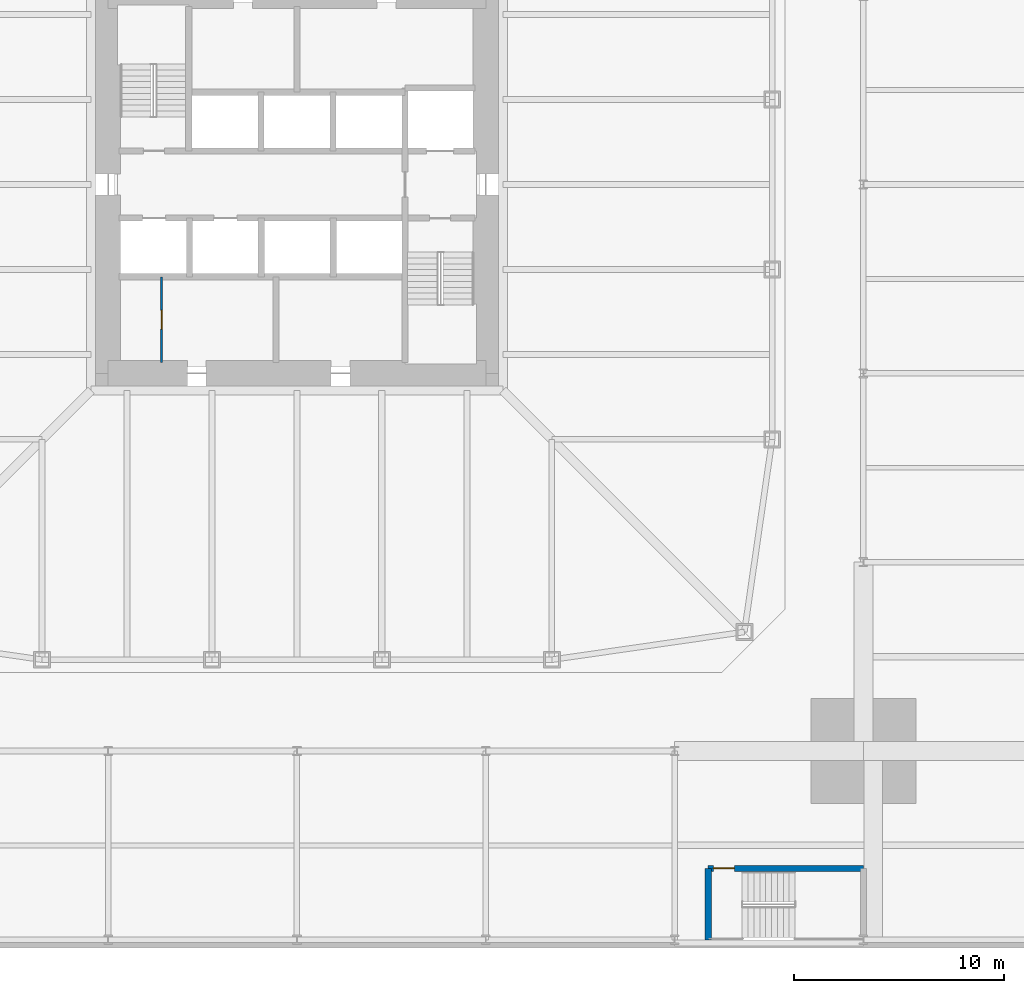
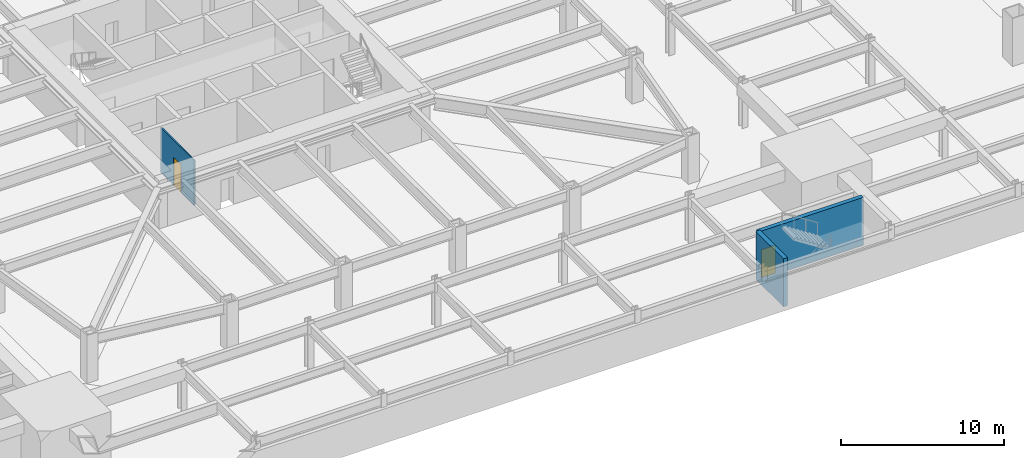
# One storey, part 10 of 17: 3 walls, 2 doors, 2 openings.
"""IFC4 building model written with IfcOpenShell, lengths in metres."""

from ifc_helpers import new_model, si_unit, direction, frame, frame_2d, origin, place, context, subcontext, project, spatial, rectangle, extrude, material, layer, layer_set, type_object, element, fill, save


model = new_model("IFC4")

# Units and contexts
model_context = context("Model", 3, precision=1e-05, world=origin(), true_north=direction((0.0, 1.0)))
body_context = subcontext(model_context, "Body", "Model", "MODEL_VIEW")
ifc_project = project(units=[si_unit("LENGTHUNIT", "METRE"), si_unit("AREAUNIT", "SQUARE_METRE"), si_unit("VOLUMEUNIT", "CUBIC_METRE"), si_unit("PLANEANGLEUNIT", "RADIAN"), si_unit("MASSUNIT", "GRAM", prefix="KILO")], contexts=[model_context])

# Site, building, storey
site_placement = place(None, origin())
site = spatial("IfcSite", under=ifc_project, at=site_placement, CompositionType="ELEMENT")
building_placement = place(site_placement, origin())
building = spatial("IfcBuilding", under=site, at=building_placement, Name="Iwan Alto Co-Living Towers", CompositionType="ELEMENT")
storey_placement = place(building_placement, frame((0.0, 0.0, -3.60009765625)))
storey = spatial("IfcBuildingStorey", under=building, at=storey_placement, Name="B1", CompositionType="ELEMENT", Elevation=-3.60009765625)

# Wall, opening, door
ifc_material_1 = material(Name="Gypsum board")
ifc_layer_1 = layer(ifc_material_1, 0.012451171875, Name="Board", Category="Finish")
ifc_material_2 = material(Name="Steel ASTM A1003 ST33H cold-formed studs", Category="steel")
ifc_layer_2 = layer(ifc_material_2, 0.074951171875, Name="Studs", Category="Framing")
ifc_layer_3 = layer(ifc_material_1, 0.012451171875, Name="Board", Category="Finish")
ifc_layer_set_1 = layer_set([ifc_layer_1, ifc_layer_2, ifc_layer_3], Name="PARTITION 100")
wall_type_1 = type_object("IfcWallType", Name="PARTITION 100", PredefinedType="PARTITIONING", material=ifc_layer_set_1)
wall_1_placement = place(storey_placement, frame((-6.449951171875, -8.489990234375, 0.0), z_axis=(0.0, 0.0, 1.0), x_axis=(0.0, 1.0, 0.0)))
wall_1 = element("IfcWall", 1, at=wall_1_placement, inside=storey, type_object=wall_type_1, Name="Partition B1", PredefinedType="PARTITIONING", context=body_context, shape_type="SweptSolid", body=[
    extrude(rectangle(XDim=4.090087890625, YDim=0.10009765625, at=frame_2d((2.044921875, 0.0))), origin(), (0.0, 0.0, 1.0), 3.400146484375),
])
opening_1_placement = place(wall_1_placement, frame((1.594970703125, 0.0, 0.0)))
opening_1 = element("IfcOpeningElement", 2, at=opening_1_placement, cuts=wall_1, Name="Opening D16", PredefinedType="OPENING", context=body_context, shape_type="SweptSolid", body=[
    extrude(rectangle(XDim=0.89990234375, YDim=2.10009765625, at=frame_2d((0.449951171875, 1.050048828125))), frame((0.0, 0.06005859375, 0.0), z_axis=(0.0, -1.0, 0.0), x_axis=(1.0, 0.0, 0.0)), (0.0, 0.0, 1.0), 0.1201171875),
])
ifc_material_3 = material(Name="Timber leaf in steel frame", Category="steel")
door_type_1 = type_object("IfcDoorType", Name="CUPBOARD SLIDING DOOR 900X2100", OperationType="SLIDING_TO_LEFT", PredefinedType="DOOR", material=ifc_material_3)
door_1_placement = place(opening_1_placement, origin())
door_1 = element("IfcDoor", 3, at=door_1_placement, inside=storey, type_object=door_type_1, Name="Cleaner's store door B1", OperationType="SLIDING_TO_LEFT", OverallHeight=2.10009765625, OverallWidth=0.89990234375, PredefinedType="DOOR", context=body_context, shape_type="SweptSolid", body=[
    extrude(rectangle(XDim=0.89990234375, YDim=2.10009765625, at=frame_2d((0.449951171875, 1.050048828125))), frame((0.0, 0.02490234375, 0.0), z_axis=(0.0, -1.0, 0.0), x_axis=(1.0, 0.0, 0.0)), (0.0, 0.0, 1.0), 0.050048828125),
])
fill(opening_1, door_1)

ifc_material_4 = material(Name="Concrete f'c 70 MPa", Category="concrete")
ifc_layer_4 = layer(ifc_material_4, 0.300048828125)
ifc_layer_set_2 = layer_set([ifc_layer_4], Name="SHAFT WALL 300")
wall_type_2 = type_object("IfcWallType", Name="SHAFT WALL 300", PredefinedType="SOLIDWALL", material=ifc_layer_set_2)
wall_2_placement = place(storey_placement, frame((19.60009765625, -32.60009765625, 0.0), z_axis=(0.0, 0.0, 1.0), x_axis=(1.0, 0.0, 0.0)))
wall_2 = element("IfcWall", 4, at=wall_2_placement, inside=storey, type_object=wall_type_2, Name="Shaft wall B1", PredefinedType="SOLIDWALL", context=body_context, shape_type="SweptSolid", body=[
    extrude(rectangle(XDim=7.39990234375, YDim=0.300048828125, at=frame_2d((3.699951171875, 0.0))), origin(), (0.0, 0.0, 1.0), 3.60009765625),
])
opening_2_placement = place(wall_2_placement, frame((0.25, 0.0, 0.0)))
opening_2 = element("IfcOpeningElement", 5, at=opening_2_placement, cuts=wall_2, Name="Opening D5", PredefinedType="OPENING", context=body_context, shape_type="SweptSolid", body=[
    extrude(rectangle(XDim=1.0, YDim=2.10009765625, at=frame_2d((0.5, 1.050048828125))), frame((0.0, 0.159912109375, 0.0), z_axis=(0.0, -1.0, 0.0), x_axis=(1.0, 0.0, 0.0)), (0.0, 0.0, 1.0), 0.320068359375),
])
ifc_material_5 = material(Name="Steel frame with timber leaf", Category="steel")
door_type_2 = type_object("IfcDoorType", Name="STAIR DOOR FD120S 1000X2100", OperationType="SINGLE_SWING_LEFT", PredefinedType="DOOR", material=ifc_material_5)
door_2_placement = place(opening_2_placement, frame((1.0, 0.0, 0.0), z_axis=(0.0, 0.0, 1.0), x_axis=(-1.0, 0.0, 0.0)))
door_2 = element("IfcDoor", 6, at=door_2_placement, inside=storey, type_object=door_type_2, Name="Stair PS4 door B1", OperationType="SINGLE_SWING_RIGHT", OverallHeight=2.10009765625, OverallWidth=1.0, PredefinedType="DOOR", context=body_context, shape_type="SweptSolid", body=[
    extrude(rectangle(XDim=1.0, YDim=2.10009765625, at=frame_2d((0.5, 1.050048828125))), frame((0.0, 0.02490234375, 0.0), z_axis=(0.0, -1.0, 0.0), x_axis=(1.0, 0.0, 0.0)), (0.0, 0.0, 1.0), 0.050048828125),
])
fill(opening_2, door_2)

# Wall
wall_3_placement = place(storey_placement, frame((19.60009765625, -36.0, 0.0), z_axis=(0.0, 0.0, 1.0), x_axis=(0.0, 1.0, 0.0)))
element("IfcWall", 7, at=wall_3_placement, inside=storey, type_object=wall_type_2, Name="Shaft wall B1", PredefinedType="SOLIDWALL", context=body_context, shape_type="SweptSolid", body=[
    extrude(rectangle(XDim=3.39990234375, YDim=0.300048828125, at=frame_2d((1.699951171875, 0.0))), origin(), (0.0, 0.0, 1.0), 3.60009765625),
])

save(model, "model.ifc")
